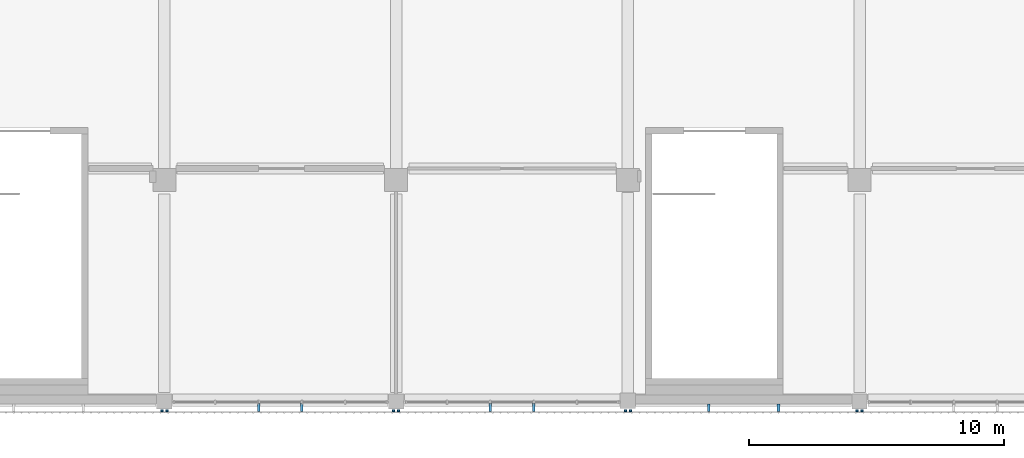
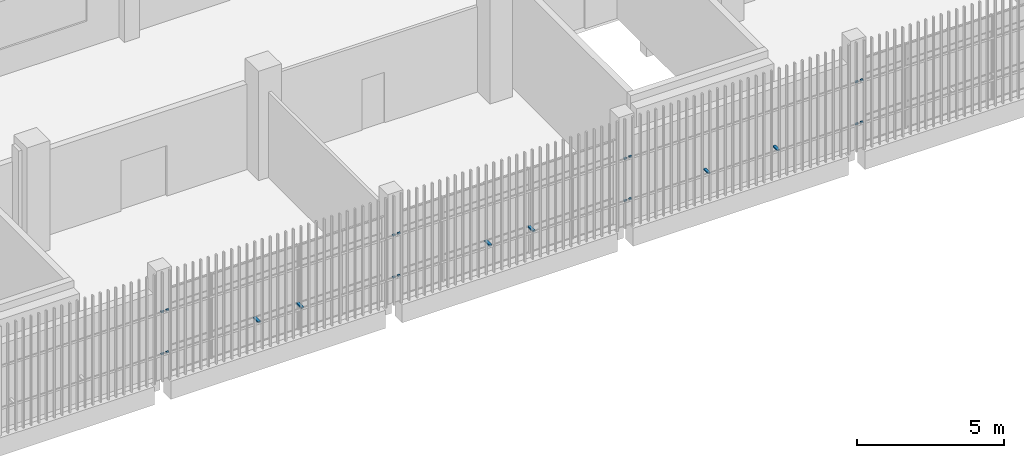
# One storey, part 76 of 104: 22 discrete accessories.
"""IFC4 building model written with IfcOpenShell, lengths in metres."""

from ifc_helpers import new_model, si_unit, direction, frame, origin, origin_2d, place, context, subcontext, project, spatial, rectangle, extrude, material, type_object, element, save


model = new_model("IFC4")

# Units and contexts
model_context = context("Model", 3, precision=1e-05, world=origin(), true_north=direction((0.0, 1.0)))
body_context = subcontext(model_context, "Body", "Model", "MODEL_VIEW")
ifc_project = project(units=[si_unit("LENGTHUNIT", "METRE"), si_unit("AREAUNIT", "SQUARE_METRE"), si_unit("VOLUMEUNIT", "CUBIC_METRE"), si_unit("PLANEANGLEUNIT", "RADIAN"), si_unit("MASSUNIT", "GRAM", prefix="KILO")], contexts=[model_context])

# Site, building, storey
site_placement = place(None, origin())
site = spatial("IfcSite", under=ifc_project, at=site_placement, CompositionType="ELEMENT")
building_placement = place(site_placement, origin())
building = spatial("IfcBuilding", under=site, at=building_placement, Name="Shirokan Park Arena", CompositionType="ELEMENT")
storey_placement = place(building_placement, frame((0.0, 0.0, 10.919921875)))
storey = spatial("IfcBuildingStorey", under=building, at=storey_placement, Name="L02", CompositionType="ELEMENT", Elevation=10.919921875)

# Discrete accessories
ifc_material = material(Name="Steel S355", Category="steel")
discrete_accessory_type = type_object("IfcDiscreteAccessoryType", Name="Veil bracket 100x60", PredefinedType="BRACKET", material=ifc_material)
for number, where, z_axis, x_axis, name in (
    (1, (63.60009765625, -0.409912109375, 1.070068359375), (0.0, 0.0, 1.0), (1.0, 0.0, 0.0), "Veil bracket south bay 7 L02 2"),
    (2, (63.60009765625, -0.409912109375, 2.820068359375), (0.0, 0.0, 1.0), (1.0, 0.0, 0.0), "Veil bracket south bay 7 L02 4"),
    (3, (63.800048828125, -0.409912109375, 1.070068359375), (0.0, 0.0, 1.0), (1.0, 0.0, 0.0), "Veil bracket south bay 8 L02 1"),
    (4, (72.699951171875, -0.409912109375, 1.070068359375), (0.0, 0.0, 1.0), (1.0, 0.0, 0.0), "Veil bracket south bay 8 L02 2"),
    (5, (63.800048828125, -0.409912109375, 2.820068359375), (0.0, 0.0, 1.0), (1.0, 0.0, 0.0), "Veil bracket south bay 8 L02 3"),
    (6, (72.699951171875, -0.409912109375, 2.820068359375), (0.0, 0.0, 1.0), (1.0, 0.0, 0.0), "Veil bracket south bay 8 L02 4"),
):
    element("IfcDiscreteAccessory", number, at=place(storey_placement, frame(where, z_axis=z_axis, x_axis=x_axis)), inside=storey, type_object=discrete_accessory_type, Name=name, PredefinedType="BRACKET", context=body_context, shape_type="SweptSolid", body=[
        extrude(rectangle(XDim=0.10009765625, YDim=0.070068359375, at=origin_2d()), origin(), (0.0, 0.0, 1.0), 0.06005859375),
    ])
for number, where, z_axis, x_axis, name in (
    (7, (67.39990234375, -0.2724609375, 1.070068359375), (0.0, 0.0, 1.0), (1.0, 0.0, 0.0), "Veil bracket south bay 8 L02 wall 1"),
    (8, (69.10009765625, -0.2724609375, 1.070068359375), (0.0, 0.0, 1.0), (1.0, 0.0, 0.0), "Veil bracket south bay 8 L02 wall 2"),
):
    element("IfcDiscreteAccessory", number, at=place(storey_placement, frame(where, z_axis=z_axis, x_axis=x_axis)), inside=storey, type_object=discrete_accessory_type, Name=name, PredefinedType="BRACKET", context=body_context, shape_type="SweptSolid", body=[
        extrude(rectangle(XDim=0.10009765625, YDim=0.344970703125, at=origin_2d()), origin(), (0.0, 0.0, 1.0), 0.06005859375),
    ])
for number, where, z_axis, x_axis, name in (
    (9, (72.89990234375, -0.409912109375, 1.070068359375), (0.0, 0.0, 1.0), (1.0, 0.0, 0.0), "Veil bracket south bay 9 L02 1"),
    (10, (81.800048828125, -0.409912109375, 1.070068359375), (0.0, 0.0, 1.0), (1.0, 0.0, 0.0), "Veil bracket south bay 9 L02 2"),
    (11, (72.89990234375, -0.409912109375, 2.820068359375), (0.0, 0.0, 1.0), (1.0, 0.0, 0.0), "Veil bracket south bay 9 L02 3"),
    (12, (81.800048828125, -0.409912109375, 2.820068359375), (0.0, 0.0, 1.0), (1.0, 0.0, 0.0), "Veil bracket south bay 9 L02 4"),
):
    element("IfcDiscreteAccessory", number, at=place(storey_placement, frame(where, z_axis=z_axis, x_axis=x_axis)), inside=storey, type_object=discrete_accessory_type, Name=name, PredefinedType="BRACKET", context=body_context, shape_type="SweptSolid", body=[
        extrude(rectangle(XDim=0.10009765625, YDim=0.070068359375, at=origin_2d()), origin(), (0.0, 0.0, 1.0), 0.06005859375),
    ])
for number, where, z_axis, x_axis, name in (
    (13, (76.5, -0.2724609375, 1.070068359375), (0.0, 0.0, 1.0), (1.0, 0.0, 0.0), "Veil bracket south bay 9 L02 wall 1"),
    (14, (78.199951171875, -0.2724609375, 1.070068359375), (0.0, 0.0, 1.0), (1.0, 0.0, 0.0), "Veil bracket south bay 9 L02 wall 2"),
):
    element("IfcDiscreteAccessory", number, at=place(storey_placement, frame(where, z_axis=z_axis, x_axis=x_axis)), inside=storey, type_object=discrete_accessory_type, Name=name, PredefinedType="BRACKET", context=body_context, shape_type="SweptSolid", body=[
        extrude(rectangle(XDim=0.10009765625, YDim=0.344970703125, at=origin_2d()), origin(), (0.0, 0.0, 1.0), 0.06005859375),
    ])
for number, where, z_axis, x_axis, name in (
    (15, (82.0, -0.409912109375, 1.070068359375), (0.0, 0.0, 1.0), (1.0, 0.0, 0.0), "Veil bracket south bay 10 L02 1"),
    (16, (90.89990234375, -0.409912109375, 1.070068359375), (0.0, 0.0, 1.0), (1.0, 0.0, 0.0), "Veil bracket south bay 10 L02 2"),
    (17, (82.0, -0.409912109375, 2.820068359375), (0.0, 0.0, 1.0), (1.0, 0.0, 0.0), "Veil bracket south bay 10 L02 3"),
    (18, (90.89990234375, -0.409912109375, 2.820068359375), (0.0, 0.0, 1.0), (1.0, 0.0, 0.0), "Veil bracket south bay 10 L02 4"),
):
    element("IfcDiscreteAccessory", number, at=place(storey_placement, frame(where, z_axis=z_axis, x_axis=x_axis)), inside=storey, type_object=discrete_accessory_type, Name=name, PredefinedType="BRACKET", context=body_context, shape_type="SweptSolid", body=[
        extrude(rectangle(XDim=0.10009765625, YDim=0.070068359375, at=origin_2d()), origin(), (0.0, 0.0, 1.0), 0.06005859375),
    ])
for number, where, z_axis, x_axis, name in (
    (19, (85.0849609375, -0.297607421875, 1.070068359375), (0.0, 0.0, 1.0), (1.0, 0.0, 0.0), "Veil bracket south bay 10 L02 wall 1"),
    (20, (87.81494140625, -0.297607421875, 1.070068359375), (0.0, 0.0, 1.0), (1.0, 0.0, 0.0), "Veil bracket south bay 10 L02 wall 2"),
):
    element("IfcDiscreteAccessory", number, at=place(storey_placement, frame(where, z_axis=z_axis, x_axis=x_axis)), inside=storey, type_object=discrete_accessory_type, Name=name, PredefinedType="BRACKET", context=body_context, shape_type="SweptSolid", body=[
        extrude(rectangle(XDim=0.10009765625, YDim=0.294921875, at=origin_2d()), origin(), (0.0, 0.0, 1.0), 0.06005859375),
    ])
for number, where, z_axis, x_axis, name in (
    (21, (91.10009765625, -0.409912109375, 1.070068359375), (0.0, 0.0, 1.0), (1.0, 0.0, 0.0), "Veil bracket south bay 11 L02 1"),
    (22, (91.10009765625, -0.409912109375, 2.820068359375), (0.0, 0.0, 1.0), (1.0, 0.0, 0.0), "Veil bracket south bay 11 L02 3"),
):
    element("IfcDiscreteAccessory", number, at=place(storey_placement, frame(where, z_axis=z_axis, x_axis=x_axis)), inside=storey, type_object=discrete_accessory_type, Name=name, PredefinedType="BRACKET", context=body_context, shape_type="SweptSolid", body=[
        extrude(rectangle(XDim=0.10009765625, YDim=0.070068359375, at=origin_2d()), origin(), (0.0, 0.0, 1.0), 0.06005859375),
    ])

save(model, "model.ifc")
